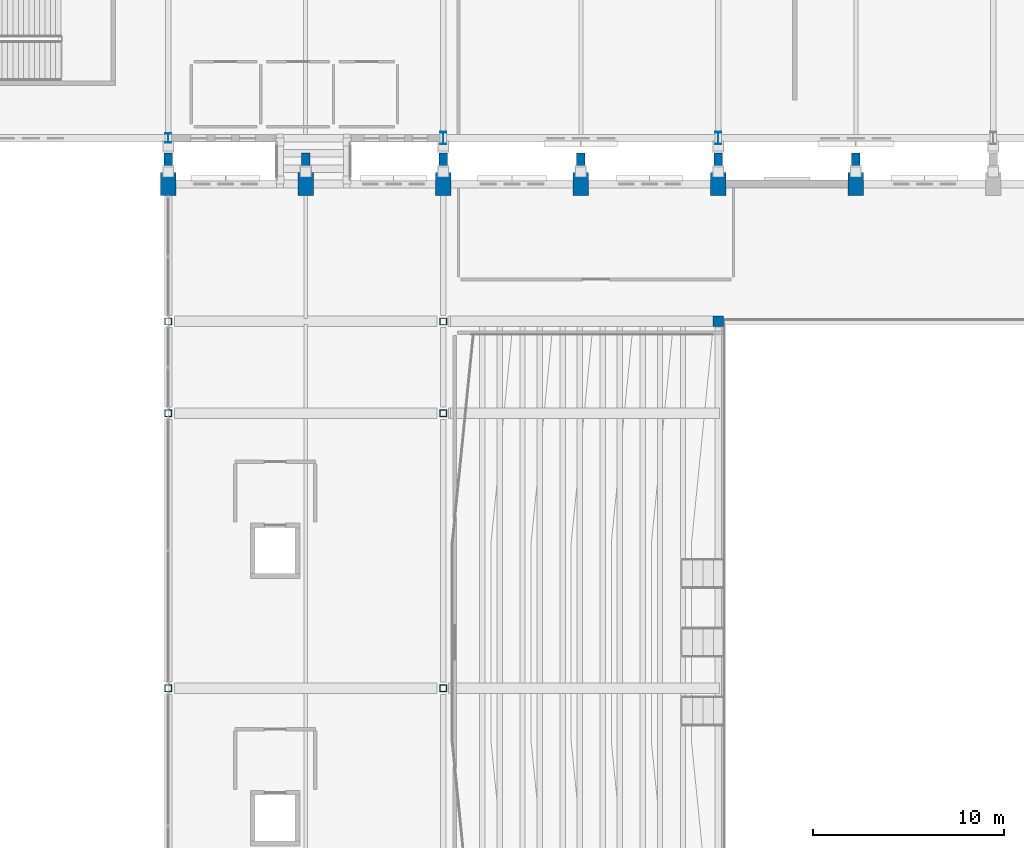
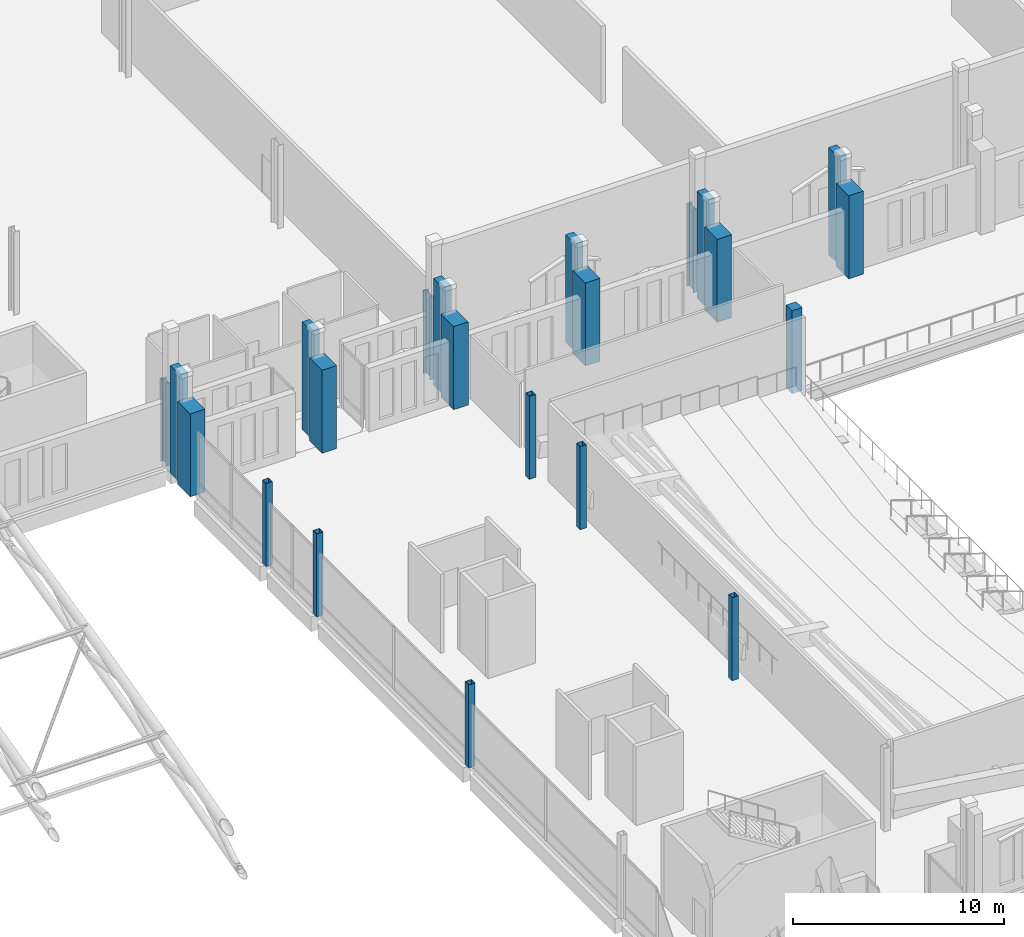
# One storey, part 15 of 193: 22 columns.
"""IFC4 building model written with IfcOpenShell, lengths in metres."""

from ifc_helpers import new_model, si_unit, direction, frame, origin, origin_2d, place, context, subcontext, project, spatial, rectangle, hollow_rectangle, i_section, extrude, material, material_profile, profile_set, type_object, element, save


model = new_model("IFC4")

# Units and contexts
model_context = context("Model", 3, precision=1e-05, world=origin(), true_north=direction((0.0, 1.0)))
body_context = subcontext(model_context, "Body", "Model", "MODEL_VIEW")
ifc_project = project(units=[si_unit("LENGTHUNIT", "METRE"), si_unit("AREAUNIT", "SQUARE_METRE"), si_unit("VOLUMEUNIT", "CUBIC_METRE"), si_unit("PLANEANGLEUNIT", "RADIAN"), si_unit("MASSUNIT", "GRAM", prefix="KILO")], contexts=[model_context])

# Site, building, storey
site_placement = place(None, origin())
site = spatial("IfcSite", under=ifc_project, at=site_placement, CompositionType="ELEMENT")
building_placement = place(site_placement, origin())
building = spatial("IfcBuilding", under=site, at=building_placement, Name="Cendralis Lancet Convention Centre", CompositionType="ELEMENT")
storey_placement = place(building_placement, frame((0.0, 0.0, 10.199951171875)))
storey = spatial("IfcBuildingStorey", under=building, at=storey_placement, Name="L02", CompositionType="ELEMENT", Elevation=10.199951171875)

# Columns
ifc_material_1 = material(Name="Concrete G40 (C40/50)", Category="concrete")
ifc_material_profile_1 = material_profile(ifc_material_1, rectangle(XDim=0.550048828125, YDim=0.550048828125, at=origin_2d()), Name="RC 550x550")
ifc_profile_set_1 = profile_set([ifc_material_profile_1], Name="Concrete G40 (C40/50)")
column_type_1 = type_object("IfcColumnType", Name="STR-COL-C10-INT", PredefinedType="COLUMN", material=ifc_profile_set_1)
column_1_placement = place(storey_placement, frame((168.0, 84.0, 0.0), z_axis=(0.0, 0.0, 1.0), x_axis=(1.0, 0.0, 0.0)))
element("IfcColumn", 1, at=column_1_placement, inside=storey, type_object=column_type_1, Name="L02 Column C10 at 168.0,84.0", PredefinedType="COLUMN", context=body_context, shape_type="SweptSolid", body=[
    extrude(rectangle(XDim=0.550048828125, YDim=0.550048828125, at=origin_2d()), origin(), (0.0, 0.0, 1.0), 4.800048828125),
])
ifc_material_profile_2 = material_profile(ifc_material_1, rectangle(XDim=0.800048828125, YDim=1.199951171875, at=origin_2d()), Name="RC 800x1200")
ifc_profile_set_2 = profile_set([ifc_material_profile_2], Name="Concrete G40 (C40/50)")
column_type_2 = type_object("IfcColumnType", Name="STR-COL-C15", PredefinedType="COLUMN", material=ifc_profile_set_2)
for number, where, z_axis, x_axis, name in (
    (2, (139.199951171875, 91.199951171875, 0.0), (0.0, 0.0, 1.0), (1.0, 0.0, 0.0), "L02 Column C15 at 139.2,91.2"),
    (3, (146.39990234375, 91.199951171875, 0.0), (0.0, 0.0, 1.0), (1.0, 0.0, 0.0), "L02 Column C15 at 146.4,91.2"),
    (4, (153.60009765625, 91.199951171875, 0.0), (0.0, 0.0, 1.0), (1.0, 0.0, 0.0), "L02 Column C15 at 153.6,91.2"),
    (5, (160.800048828125, 91.199951171875, 0.0), (0.0, 0.0, 1.0), (1.0, 0.0, 0.0), "L02 Column C15 at 160.8,91.2"),
    (6, (168.0, 91.199951171875, 0.0), (0.0, 0.0, 1.0), (1.0, 0.0, 0.0), "L02 Column C15 at 168.0,91.2"),
    (7, (175.199951171875, 91.199951171875, 0.0), (0.0, 0.0, 1.0), (1.0, 0.0, 0.0), "L02 Column C15 at 175.2,91.2"),
):
    element("IfcColumn", number, at=place(storey_placement, frame(where, z_axis=z_axis, x_axis=x_axis)), inside=storey, type_object=column_type_2, Name=name, PredefinedType="COLUMN", context=body_context, shape_type="SweptSolid", body=[
        extrude(rectangle(XDim=0.800048828125, YDim=1.199951171875, at=origin_2d()), origin(), (0.0, 0.0, 1.0), 4.800048828125),
    ])
ifc_material_2 = material(Name="Steel S355", Category="steel")
ifc_material_profile_3 = material_profile(ifc_material_2, i_section(OverallWidth=0.300048828125, OverallDepth=0.64990234375, WebThickness=0.01611328125, FlangeThickness=0.031005859375, FilletRadius=0.027099609375, at=origin_2d()), Name="HEB 650")
ifc_profile_set_3 = profile_set([ifc_material_profile_3], Name="Steel S355")
column_type_3 = type_object("IfcColumnType", Name="STR-COL-C20", PredefinedType="COLUMN", material=ifc_profile_set_3)
for number, where, z_axis, x_axis, name in (
    (8, (153.60009765625, 93.60009765625, 0.0), (0.0, 0.0, 1.0), (1.0, 0.0, 0.0), "L02 Column C20 at 153.6,93.6"),
    (9, (168.0, 93.60009765625, 0.0), (0.0, 0.0, 1.0), (1.0, 0.0, 0.0), "L02 Column C20 at 168.0,93.6"),
):
    element("IfcColumn", number, at=place(storey_placement, frame(where, z_axis=z_axis, x_axis=x_axis)), inside=storey, type_object=column_type_3, Name=name, PredefinedType="COLUMN", context=body_context, shape_type="SweptSolid", body=[
        extrude(i_section(OverallWidth=0.300048828125, OverallDepth=0.64990234375, WebThickness=0.01611328125, FlangeThickness=0.031005859375, FilletRadius=0.027099609375, at=origin_2d()), origin(), (0.0, 0.0, 1.0), 4.800048828125),
    ])
ifc_material_profile_4 = material_profile(ifc_material_2, i_section(OverallWidth=0.300048828125, OverallDepth=0.5, WebThickness=0.014404296875, FlangeThickness=0.028076171875, FilletRadius=0.027099609375, at=origin_2d()), Name="HEB 500")
ifc_profile_set_4 = profile_set([ifc_material_profile_4], Name="Steel S355")
column_type_4 = type_object("IfcColumnType", Name="STR-COL-C23", PredefinedType="COLUMN", material=ifc_profile_set_4)
column_2_placement = place(storey_placement, frame((139.199951171875, 93.60009765625, 0.0), z_axis=(0.0, 0.0, 1.0), x_axis=(1.0, 0.0, 0.0)))
element("IfcColumn", 10, at=column_2_placement, inside=storey, type_object=column_type_4, Name="L02 Column C23 at 139.2,93.6", PredefinedType="COLUMN", context=body_context, shape_type="SweptSolid", body=[
    extrude(i_section(OverallWidth=0.300048828125, OverallDepth=0.5, WebThickness=0.014404296875, FlangeThickness=0.028076171875, FilletRadius=0.027099609375, at=origin_2d()), origin(), (0.0, 0.0, 1.0), 4.800048828125),
])
ifc_material_profile_5 = material_profile(ifc_material_2, hollow_rectangle(XDim=0.35009765625, YDim=0.35009765625, WallThickness=0.01611328125, at=origin_2d()), Name="SHS 350x350x16.0")
ifc_profile_set_5 = profile_set([ifc_material_profile_5], Name="Steel S355")
column_type_5 = type_object("IfcColumnType", Name="STR-COL-C29", PredefinedType="COLUMN", material=ifc_profile_set_5)
for number, where, z_axis, x_axis, name in (
    (11, (139.199951171875, 64.800048828125, 0.0), (0.0, 0.0, 1.0), (1.0, 0.0, 0.0), "L02 Column C29 at 139.2,64.8"),
    (12, (139.199951171875, 79.199951171875, 0.0), (0.0, 0.0, 1.0), (1.0, 0.0, 0.0), "L02 Column C29 at 139.2,79.2"),
    (13, (139.199951171875, 84.0, 0.0), (0.0, 0.0, 1.0), (1.0, 0.0, 0.0), "L02 Column C29 at 139.2,84.0"),
):
    element("IfcColumn", number, at=place(storey_placement, frame(where, z_axis=z_axis, x_axis=x_axis)), inside=storey, type_object=column_type_5, Name=name, PredefinedType="COLUMN", context=body_context, shape_type="SweptSolid", body=[
        extrude(hollow_rectangle(XDim=0.35009765625, YDim=0.35009765625, WallThickness=0.01611328125, at=origin_2d()), origin(), (0.0, 0.0, 1.0), 4.800048828125),
    ])
ifc_material_profile_6 = material_profile(ifc_material_2, hollow_rectangle(XDim=0.35009765625, YDim=0.35009765625, WallThickness=0.01611328125, at=origin_2d()), Name="SHS 350x350x16.0")
ifc_profile_set_6 = profile_set([ifc_material_profile_6], Name="Steel S355")
column_type_6 = type_object("IfcColumnType", Name="STR-COL-C29-INT", PredefinedType="COLUMN", material=ifc_profile_set_6)
for number, where, z_axis, x_axis, name in (
    (14, (153.60009765625, 64.800048828125, 0.0), (0.0, 0.0, 1.0), (1.0, 0.0, 0.0), "L02 Column C29 at 153.6,64.8"),
    (15, (153.60009765625, 79.199951171875, 0.0), (0.0, 0.0, 1.0), (1.0, 0.0, 0.0), "L02 Column C29 at 153.6,79.2"),
    (16, (153.60009765625, 84.0, 0.0), (0.0, 0.0, 1.0), (1.0, 0.0, 0.0), "L02 Column C29 at 153.6,84.0"),
):
    element("IfcColumn", number, at=place(storey_placement, frame(where, z_axis=z_axis, x_axis=x_axis)), inside=storey, type_object=column_type_6, Name=name, PredefinedType="COLUMN", context=body_context, shape_type="SweptSolid", body=[
        extrude(hollow_rectangle(XDim=0.35009765625, YDim=0.35009765625, WallThickness=0.01611328125, at=origin_2d()), origin(), (0.0, 0.0, 1.0), 4.800048828125),
    ])
ifc_material_profile_7 = material_profile(ifc_material_1, rectangle(XDim=0.449951171875, YDim=0.89990234375, at=origin_2d()), Name="RC 450x900")
ifc_profile_set_7 = profile_set([ifc_material_profile_7], Name="Concrete G40 (C40/50)")
column_type_7 = type_object("IfcColumnType", Name="STR-PIL-PL02", PredefinedType="PILASTER", material=ifc_profile_set_7)
for number, where, z_axis, x_axis, name in (
    (17, (139.199951171875, 92.360107421875, 0.0), (0.0, 0.0, 1.0), (1.0, 0.0, 0.0), "L02 Column PL02 at 139.2,92.4"),
    (18, (146.39990234375, 92.360107421875, 0.0), (0.0, 0.0, 1.0), (1.0, 0.0, 0.0), "L02 Column PL02 at 146.4,92.4"),
    (19, (153.60009765625, 92.360107421875, 0.0), (0.0, 0.0, 1.0), (1.0, 0.0, 0.0), "L02 Column PL02 at 153.6,92.4"),
    (20, (160.800048828125, 92.360107421875, 0.0), (0.0, 0.0, 1.0), (1.0, 0.0, 0.0), "L02 Column PL02 at 160.8,92.4"),
    (21, (168.0, 92.360107421875, 0.0), (0.0, 0.0, 1.0), (1.0, 0.0, 0.0), "L02 Column PL02 at 168.0,92.4"),
    (22, (175.199951171875, 92.360107421875, 0.0), (0.0, 0.0, 1.0), (1.0, 0.0, 0.0), "L02 Column PL02 at 175.2,92.4"),
):
    element("IfcColumn", number, at=place(storey_placement, frame(where, z_axis=z_axis, x_axis=x_axis)), inside=storey, type_object=column_type_7, Name=name, PredefinedType="PILASTER", context=body_context, shape_type="SweptSolid", body=[
        extrude(rectangle(XDim=0.449951171875, YDim=0.89990234375, at=origin_2d()), origin(), (0.0, 0.0, 1.0), 6.199951171875),
    ])

save(model, "model.ifc")
